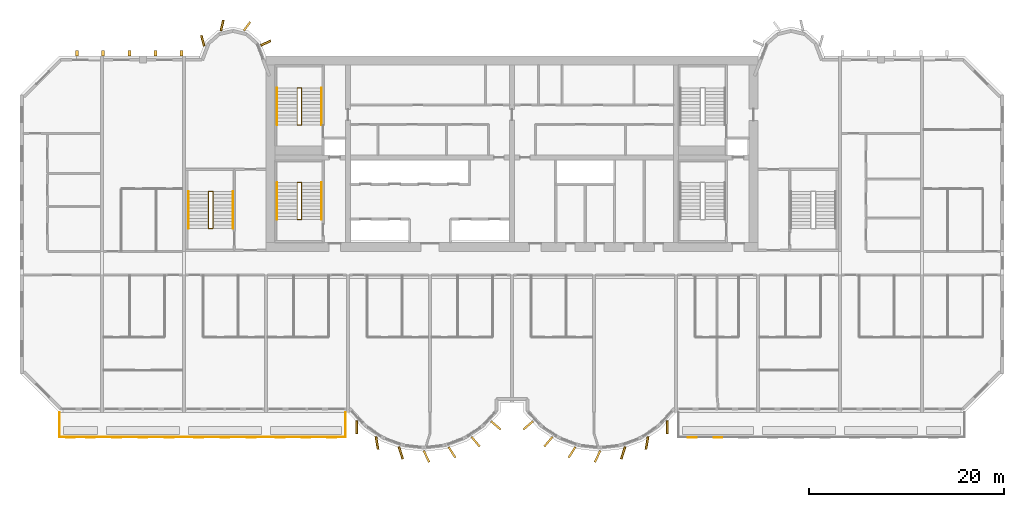
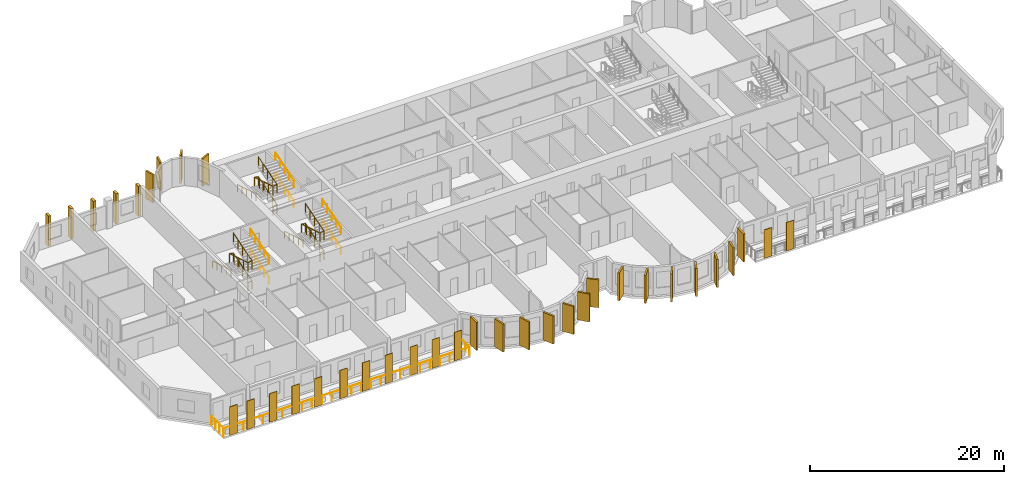
# One storey, part 12 of 14: 36 coverings, 13 railings.
"""IFC4 building model written with IfcOpenShell, lengths in metres."""

from ifc_helpers import new_model, si_unit, direction, frame, origin, origin_2d, place, context, subcontext, project, spatial, rectangle, circle, extrude, source, transform, mapped, material, layer, layer_set, material_profile, profile_set, type_object, element, save


model = new_model("IFC4")

# Units and contexts
model_context = context("Model", 3, precision=1e-05, world=origin(), true_north=direction((0.0, 1.0)))
body_context = subcontext(model_context, "Body", "Model", "MODEL_VIEW")
ifc_project = project(units=[si_unit("LENGTHUNIT", "METRE"), si_unit("AREAUNIT", "SQUARE_METRE"), si_unit("VOLUMEUNIT", "CUBIC_METRE"), si_unit("PLANEANGLEUNIT", "RADIAN"), si_unit("MASSUNIT", "GRAM", prefix="KILO")], contexts=[model_context])

# Site, building, storey
site_placement = place(None, origin())
site = spatial("IfcSite", under=ifc_project, at=site_placement, CompositionType="ELEMENT")
building_placement = place(site_placement, origin())
building = spatial("IfcBuilding", under=site, at=building_placement, Name="Vanashikhar Sky Hotel", CompositionType="ELEMENT")
storey_placement = place(building_placement, frame((0.0, 0.0, 114.199951171875)))
storey = spatial("IfcBuildingStorey", under=building, at=storey_placement, Name="L27", CompositionType="ELEMENT", Elevation=114.199951171875)

# Railing
ifc_material_1 = material(Name="Stainless steel 316", Category="steel")
railing_type_1 = type_object("IfcRailingType", Name="Balcony guard 1100", PredefinedType="GUARDRAIL", material=ifc_material_1)
shared_shape_1 = source(origin(), body_context, "Body", "SweptSolid", [
    extrude(circle(Radius=0.02392578125, at=origin_2d()), frame((0.0, 0.0, 1.076171875), z_axis=(0.0, -1.0, 0.0), x_axis=(1.0, 0.0, 0.0)), (0.0, 0.0, 1.0), 2.5),
    extrude(circle(Radius=0.02392578125, at=origin_2d()), frame((0.0, -2.5, 1.076171875), z_axis=(1.0, 0.0, 0.0), x_axis=(0.0, 1.0, 0.0)), (0.0, 0.0, 1.0), 29.280029296875),
    extrude(circle(Radius=0.02392578125, at=origin_2d()), frame((29.280029296875, -2.5, 1.076171875), z_axis=(0.0, 1.0, 0.0), x_axis=(-1.0, 0.0, 0.0)), (0.0, 0.0, 1.0), 2.5),
    extrude(circle(Radius=0.02099609375, at=origin_2d()), origin(), (0.0, 0.0, 1.0), 1.052001953125),
    extrude(circle(Radius=0.02099609375, at=origin_2d()), frame((0.0, -0.833251953125, 0.0)), (0.0, 0.0, 1.0), 1.052001953125),
    extrude(circle(Radius=0.02099609375, at=origin_2d()), frame((0.0, -1.666748046875, 0.0)), (0.0, 0.0, 1.0), 1.052001953125),
    extrude(circle(Radius=0.02099609375, at=origin_2d()), frame((0.0, -2.5, 0.0)), (0.0, 0.0, 1.0), 1.052001953125),
    extrude(circle(Radius=0.02099609375, at=origin_2d()), frame((1.171142578125, -2.5, 0.0)), (0.0, 0.0, 1.0), 1.052001953125),
    extrude(circle(Radius=0.02099609375, at=origin_2d()), frame((2.34228515625, -2.5, 0.0)), (0.0, 0.0, 1.0), 1.052001953125),
    extrude(circle(Radius=0.02099609375, at=origin_2d()), frame((3.513671875, -2.5, 0.0)), (0.0, 0.0, 1.0), 1.052001953125),
    extrude(circle(Radius=0.02099609375, at=origin_2d()), frame((4.684814453125, -2.5, 0.0)), (0.0, 0.0, 1.0), 1.052001953125),
    extrude(circle(Radius=0.02099609375, at=origin_2d()), frame((5.85595703125, -2.5, 0.0)), (0.0, 0.0, 1.0), 1.052001953125),
    extrude(circle(Radius=0.02099609375, at=origin_2d()), frame((7.027099609375, -2.5, 0.0)), (0.0, 0.0, 1.0), 1.052001953125),
    extrude(circle(Radius=0.02099609375, at=origin_2d()), frame((8.198486328125, -2.5, 0.0)), (0.0, 0.0, 1.0), 1.052001953125),
    extrude(circle(Radius=0.02099609375, at=origin_2d()), frame((9.36962890625, -2.5, 0.0)), (0.0, 0.0, 1.0), 1.052001953125),
    extrude(circle(Radius=0.02099609375, at=origin_2d()), frame((10.540771484375, -2.5, 0.0)), (0.0, 0.0, 1.0), 1.052001953125),
    extrude(circle(Radius=0.02099609375, at=origin_2d()), frame((11.7119140625, -2.5, 0.0)), (0.0, 0.0, 1.0), 1.052001953125),
    extrude(circle(Radius=0.02099609375, at=origin_2d()), frame((12.88330078125, -2.5, 0.0)), (0.0, 0.0, 1.0), 1.052001953125),
    extrude(circle(Radius=0.02099609375, at=origin_2d()), frame((14.054443359375, -2.5, 0.0)), (0.0, 0.0, 1.0), 1.052001953125),
    extrude(circle(Radius=0.02099609375, at=origin_2d()), frame((15.2255859375, -2.5, 0.0)), (0.0, 0.0, 1.0), 1.052001953125),
    extrude(circle(Radius=0.02099609375, at=origin_2d()), frame((16.396728515625, -2.5, 0.0)), (0.0, 0.0, 1.0), 1.052001953125),
    extrude(circle(Radius=0.02099609375, at=origin_2d()), frame((17.568115234375, -2.5, 0.0)), (0.0, 0.0, 1.0), 1.052001953125),
    extrude(circle(Radius=0.02099609375, at=origin_2d()), frame((18.7392578125, -2.5, 0.0)), (0.0, 0.0, 1.0), 1.052001953125),
    extrude(circle(Radius=0.02099609375, at=origin_2d()), frame((19.910400390625, -2.5, 0.0)), (0.0, 0.0, 1.0), 1.052001953125),
    extrude(circle(Radius=0.02099609375, at=origin_2d()), frame((21.08154296875, -2.5, 0.0)), (0.0, 0.0, 1.0), 1.052001953125),
    extrude(circle(Radius=0.02099609375, at=origin_2d()), frame((22.2529296875, -2.5, 0.0)), (0.0, 0.0, 1.0), 1.052001953125),
    extrude(circle(Radius=0.02099609375, at=origin_2d()), frame((23.424072265625, -2.5, 0.0)), (0.0, 0.0, 1.0), 1.052001953125),
    extrude(circle(Radius=0.02099609375, at=origin_2d()), frame((24.59521484375, -2.5, 0.0)), (0.0, 0.0, 1.0), 1.052001953125),
    extrude(circle(Radius=0.02099609375, at=origin_2d()), frame((25.766357421875, -2.5, 0.0)), (0.0, 0.0, 1.0), 1.052001953125),
    extrude(circle(Radius=0.02099609375, at=origin_2d()), frame((26.937744140625, -2.5, 0.0)), (0.0, 0.0, 1.0), 1.052001953125),
    extrude(circle(Radius=0.02099609375, at=origin_2d()), frame((28.10888671875, -2.5, 0.0)), (0.0, 0.0, 1.0), 1.052001953125),
    extrude(circle(Radius=0.02099609375, at=origin_2d()), frame((29.280029296875, -2.5, 0.0)), (0.0, 0.0, 1.0), 1.052001953125),
    extrude(circle(Radius=0.02099609375, at=origin_2d()), frame((29.280029296875, -1.666748046875, 0.0)), (0.0, 0.0, 1.0), 1.052001953125),
    extrude(circle(Radius=0.02099609375, at=origin_2d()), frame((29.280029296875, -0.833251953125, 0.0)), (0.0, 0.0, 1.0), 1.052001953125),
    extrude(circle(Radius=0.02099609375, at=origin_2d()), frame((29.280029296875, 0.0, 0.0)), (0.0, 0.0, 1.0), 1.052001953125),
])
railing_1_placement = place(storey_placement, frame((4.06005859375, 5.5, -0.050048828125)))
element("IfcRailing", 1, at=railing_1_placement, inside=storey, type_object=railing_type_1, Name="Balcony guard", PredefinedType="GUARDRAIL", context=body_context, shape_type="MappedRepresentation", body=[
    mapped(shared_shape_1, transform((0.0, 0.0, 0.0), scale=1.0)),
])

# Coverings
ifc_material_2 = material(Name="Terracotta", Category="masonry")
ifc_layer = layer(ifc_material_2, 0.06005859375)
ifc_layer_set = layer_set([ifc_layer], Name="Terracotta baguette screen")
covering_type_1 = type_object("IfcCoveringType", Name="Terracotta baguette screen", PredefinedType="CLADDING", material=ifc_layer_set)
shared_shape_2 = source(origin(), body_context, "Body", "SweptSolid", [
    extrude(rectangle(XDim=0.89990234375, YDim=0.06005859375, at=origin_2d()), origin(), (0.0, 0.0, 1.0), 3.60009765625),
])
for number, where, z_axis, x_axis, name in (
    (2, (5.175048828125, 2.929931640625, -0.050048828125), (0.0, 0.0, 1.0), (1.0, 0.0, 0.0), "Terracotta screen"),
    (3, (7.22509765625, 2.929931640625, -0.050048828125), (0.0, 0.0, 1.0), (1.0, 0.0, 0.0), "Terracotta screen"),
    (4, (9.89990234375, 2.929931640625, -0.050048828125), (0.0, 0.0, 1.0), (1.0, 0.0, 0.0), "Terracotta screen"),
    (5, (12.60009765625, 2.929931640625, -0.050048828125), (0.0, 0.0, 1.0), (1.0, 0.0, 0.0), "Terracotta screen"),
    (6, (15.300048828125, 2.929931640625, -0.050048828125), (0.0, 0.0, 1.0), (1.0, 0.0, 0.0), "Terracotta screen"),
    (7, (18.300048828125, 2.929931640625, -0.050048828125), (0.0, 0.0, 1.0), (1.0, 0.0, 0.0), "Terracotta screen"),
    (8, (21.0, 2.929931640625, -0.050048828125), (0.0, 0.0, 1.0), (1.0, 0.0, 0.0), "Terracotta screen"),
    (9, (23.699951171875, 2.929931640625, -0.050048828125), (0.0, 0.0, 1.0), (1.0, 0.0, 0.0), "Terracotta screen"),
    (10, (26.666748046875, 2.929931640625, -0.050048828125), (0.0, 0.0, 1.0), (1.0, 0.0, 0.0), "Terracotta screen"),
    (11, (29.300048828125, 2.929931640625, -0.050048828125), (0.0, 0.0, 1.0), (1.0, 0.0, 0.0), "Terracotta screen"),
    (12, (31.933349609375, 2.929931640625, -0.050048828125), (0.0, 0.0, 1.0), (1.0, 0.0, 0.0), "Terracotta screen"),
    (13, (68.86669921875, 2.929931640625, -0.050048828125), (0.0, 0.0, 1.0), (1.0, 0.0, 0.0), "Terracotta screen"),
    (14, (71.5, 2.929931640625, -0.050048828125), (0.0, 0.0, 1.0), (1.0, 0.0, 0.0), "Terracotta screen"),
):
    element("IfcCovering", number, at=place(storey_placement, frame(where, z_axis=z_axis, x_axis=x_axis)), inside=storey, type_object=covering_type_1, Name=name, PredefinedType="CLADDING", context=body_context, shape_type="MappedRepresentation", body=[
        mapped(shared_shape_2, transform((0.0, 0.0, 0.0), scale=1.0)),
    ])
ifc_material_3 = material(Name="Concrete M60 dark", Category="concrete")
ifc_material_profile_1 = material_profile(ifc_material_3, rectangle(XDim=1.300048828125, YDim=0.199951171875, at=origin_2d()))
ifc_profile_set_1 = profile_set([ifc_material_profile_1], Name="Fin 1300 x 200")
covering_type_2 = type_object("IfcCoveringType", Name="Fin 1300 x 200", PredefinedType="CLADDING", material=ifc_profile_set_1)
shared_shape_3 = source(origin(), body_context, "Body", "SweptSolid", [
    extrude(rectangle(XDim=1.300048828125, YDim=0.199951171875, at=origin_2d()), origin(), (0.0, 0.0, 1.0), 3.52001953125),
])
for number, where, z_axis, x_axis, name in (
    (15, (34.482421875, 3.992919921875, 0.0), (0.0, 0.0, 1.0), (0.011588726826, -0.999932848451, 0.0), "Fin F1-1"),
    (16, (36.572509765625, 2.3779296875, 0.0), (0.0, 0.0, 1.0), (0.16989991575, -0.985461322746, 0.0), "Fin F1-2"),
    (17, (39.00830078125, 1.35693359375, 0.0), (0.0, 0.0, 1.0), (0.303966551867, -0.952682704444, 0.0), "Fin F1-3"),
    (18, (41.63232421875, 1.00146484375, 0.0), (0.0, 0.0, 1.0), (0.422618261741, -0.906307787037, 0.0), "Fin F1-4"),
    (19, (44.251953125, 1.416015625, 0.0), (0.0, 0.0, 1.0), (0.534411358496, -0.845224526331, 0.0), "Fin F1-5"),
    (20, (46.676025390625, 2.5, 0.0), (0.0, 0.0, 1.0), (0.645697609467, -0.763593214433, 0.0), "Fin F1-6"),
    (21, (48.7412109375, 4.1845703125, 0.0), (0.0, 0.0, 1.0), (0.758543912032, -0.65162192529, 0.0), "Fin F1-7"),
    (22, (52.058837890625, 4.1845703125, 0.0), (0.0, 0.0, 1.0), (-0.758543912032, -0.65162192529, 0.0), "Fin F2-1"),
    (23, (54.123779296875, 2.5, 0.0), (0.0, 0.0, 1.0), (-0.645697609467, -0.763593214433, 0.0), "Fin F2-2"),
    (24, (56.547119140625, 1.416015625, 0.0), (0.0, 0.0, 1.0), (-0.534411358496, -0.845224526331, 0.0), "Fin F2-3"),
    (25, (59.16748046875, 1.00146484375, 0.0), (0.0, 0.0, 1.0), (-0.422618261741, -0.906307787037, 0.0), "Fin F2-4"),
    (26, (61.790771484375, 1.35693359375, 0.0), (0.0, 0.0, 1.0), (-0.303966551867, -0.952682704444, 0.0), "Fin F2-5"),
    (27, (64.2275390625, 2.3779296875, 0.0), (0.0, 0.0, 1.0), (-0.16989991575, -0.985461322746, 0.0), "Fin F2-6"),
    (28, (66.317626953125, 3.992919921875, 0.0), (0.0, 0.0, 1.0), (-0.011588726826, -0.999932848451, 0.0), "Fin F2-7"),
):
    element("IfcCovering", number, at=place(storey_placement, frame(where, z_axis=z_axis, x_axis=x_axis)), inside=storey, type_object=covering_type_2, Name=name, PredefinedType="CLADDING", context=body_context, shape_type="MappedRepresentation", body=[
        mapped(shared_shape_3, transform((0.0, 0.0, 0.0), scale=1.0)),
    ])
ifc_material_profile_2 = material_profile(ifc_material_3, rectangle(XDim=1.10009765625, YDim=0.199951171875, at=origin_2d()))
ifc_profile_set_2 = profile_set([ifc_material_profile_2], Name="Rear lobe fin 1100 x 200")
covering_type_3 = type_object("IfcCoveringType", Name="Rear lobe fin 1100 x 200", PredefinedType="CLADDING", material=ifc_profile_set_2)
shared_shape_4 = source(origin(), body_context, "Body", "SweptSolid", [
    extrude(rectangle(XDim=1.10009765625, YDim=0.199951171875, at=origin_2d()), origin(), (0.0, 0.0, 1.0), 3.52001953125),
])
for number, where, z_axis, x_axis, name in (
    (29, (18.720703125, 43.580078125, 0.0), (0.0, 0.0, 1.0), (-0.262711264409, 0.964874495234, 0.0), "Fin R1-1"),
    (30, (20.710205078125, 45.1455078125, 0.0), (0.0, 0.0, 1.0), (0.224644935864, 0.974440687159, 0.0), "Fin R1-2"),
    (31, (23.261962890625, 45.06640625, 0.0), (0.0, 0.0, 1.0), (0.602065892195, 0.798446404874, 0.0), "Fin R1-3"),
    (32, (25.169677734375, 43.33447265625, 0.0), (0.0, 0.0, 1.0), (0.908004291068, 0.418960866193, 0.0), "Fin R1-4"),
):
    element("IfcCovering", number, at=place(storey_placement, frame(where, z_axis=z_axis, x_axis=x_axis)), inside=storey, type_object=covering_type_3, Name=name, PredefinedType="CLADDING", context=body_context, shape_type="MappedRepresentation", body=[
        mapped(shared_shape_4, transform((0.0, 0.0, 0.0), scale=1.0)),
    ])
ifc_material_profile_3 = material_profile(ifc_material_3, rectangle(XDim=0.60009765625, YDim=0.300048828125, at=origin_2d()))
ifc_profile_set_3 = profile_set([ifc_material_profile_3], Name="Rear rib 600 x 300")
covering_type_4 = type_object("IfcCoveringType", Name="Rear rib 600 x 300", PredefinedType="CLADDING", material=ifc_profile_set_3)
shared_shape_5 = source(origin(), body_context, "Body", "SweptSolid", [
    extrude(rectangle(XDim=0.60009765625, YDim=0.300048828125, at=origin_2d()), origin(), (0.0, 0.0, 1.0), 3.800048828125),
])
for number, where, z_axis, x_axis, name in (
    (33, (5.840087890625, 42.300048828125, -0.280029296875), (0.0, 0.0, 1.0), (0.0, 1.0, 0.0), "Rear rib"),
    (34, (8.52001953125, 42.300048828125, -0.280029296875), (0.0, 0.0, 1.0), (0.0, 1.0, 0.0), "Rear rib"),
    (35, (11.199951171875, 42.300048828125, -0.280029296875), (0.0, 0.0, 1.0), (0.0, 1.0, 0.0), "Rear rib"),
    (36, (13.8798828125, 42.300048828125, -0.280029296875), (0.0, 0.0, 1.0), (0.0, 1.0, 0.0), "Rear rib"),
    (37, (16.56005859375, 42.300048828125, -0.280029296875), (0.0, 0.0, 1.0), (0.0, 1.0, 0.0), "Rear rib"),
):
    element("IfcCovering", number, at=place(storey_placement, frame(where, z_axis=z_axis, x_axis=x_axis)), inside=storey, type_object=covering_type_4, Name=name, PredefinedType="CLADDING", context=body_context, shape_type="MappedRepresentation", body=[
        mapped(shared_shape_5, transform((0.0, 0.0, 0.0), scale=1.0)),
    ])

# Railings
ifc_material_4 = material(Name="Steel S355", Category="steel")
railing_type_2 = type_object("IfcRailingType", Name="Stair handrail 900", PredefinedType="HANDRAIL", material=ifc_material_4)
shared_shape_6 = source(origin(), body_context, "Body", "SweptSolid", [
    extrude(circle(Radius=0.02392578125, at=origin_2d()), frame((0.0, 0.0, 0.8759765625), z_axis=(0.0, 0.95635109408, 0.292220096591), x_axis=(-1.0, 0.0, 0.0)), (0.0, 0.0, 1.0), 3.973388671875),
    extrude(circle(Radius=0.02099609375, at=origin_2d()), origin(), (0.0, 0.0, 1.0), 0.851806640625),
    extrude(circle(Radius=0.02099609375, at=origin_2d()), frame((0.0, 0.949951171875, 0.290283203125)), (0.0, 0.0, 1.0), 0.851806640625),
    extrude(circle(Radius=0.02099609375, at=origin_2d()), frame((0.0, 1.89990234375, 0.58056640625)), (0.0, 0.0, 1.0), 0.851806640625),
    extrude(circle(Radius=0.02099609375, at=origin_2d()), frame((0.0, 2.85009765625, 0.870849609375)), (0.0, 0.0, 1.0), 0.851806640625),
    extrude(circle(Radius=0.02099609375, at=origin_2d()), frame((0.0, 3.800048828125, 1.1611328125)), (0.0, 0.0, 1.0), 0.851806640625),
])
for number, where, name in (
    (38, (30.89990234375, 25.25, 2.638916015625), "Exit stair 1 handrail"),
    (39, (30.89990234375, 34.949951171875, 2.638916015625), "Exit stair 5 handrail"),
):
    element("IfcRailing", number, at=place(storey_placement, frame(where)), inside=storey, type_object=railing_type_2, Name=name, PredefinedType="HANDRAIL", context=body_context, shape_type="MappedRepresentation", body=[
        mapped(shared_shape_6, transform((0.0, 0.0, 0.0), scale=1.0)),
    ])
shared_shape_7 = source(origin(), body_context, "Body", "SweptSolid", [
    extrude(circle(Radius=0.02392578125, at=origin_2d()), frame((0.0, 0.0, 0.8759765625), z_axis=(0.0, -0.95635109408, 0.292220096591), x_axis=(1.0, 0.0, 0.0)), (0.0, 0.0, 1.0), 3.973388671875),
    extrude(circle(Radius=0.02099609375, at=origin_2d()), origin(), (0.0, 0.0, 1.0), 0.851806640625),
    extrude(circle(Radius=0.02099609375, at=origin_2d()), frame((0.0, -0.949951171875, 0.290283203125)), (0.0, 0.0, 1.0), 0.851806640625),
    extrude(circle(Radius=0.02099609375, at=origin_2d()), frame((0.0, -1.89990234375, 0.58056640625)), (0.0, 0.0, 1.0), 0.851806640625),
    extrude(circle(Radius=0.02099609375, at=origin_2d()), frame((0.0, -2.85009765625, 0.870849609375)), (0.0, 0.0, 1.0), 0.851806640625),
    extrude(circle(Radius=0.02099609375, at=origin_2d()), frame((0.0, -3.800048828125, 1.1611328125)), (0.0, 0.0, 1.0), 0.851806640625),
])
for number, where, name in (
    (40, (26.35009765625, 29.050048828125, 1.372314453125), "Exit stair 1 handrail"),
    (41, (26.35009765625, 38.75, 1.372314453125), "Exit stair 5 handrail"),
):
    element("IfcRailing", number, at=place(storey_placement, frame(where)), inside=storey, type_object=railing_type_2, Name=name, PredefinedType="HANDRAIL", context=body_context, shape_type="MappedRepresentation", body=[
        mapped(shared_shape_7, transform((0.0, 0.0, 0.0), scale=1.0)),
    ])
railing_type_3 = type_object("IfcRailingType", Name="Stair guard 1100", PredefinedType="GUARDRAIL", material=ifc_material_4)
shared_shape_8 = source(origin(), body_context, "Body", "SweptSolid", [
    extrude(circle(Radius=0.02392578125, at=origin_2d()), frame((0.0, 0.0, 1.076171875), z_axis=(0.973520925263, 0.0, 0.228597917917), x_axis=(0.0, 1.0, 0.0)), (0.0, 0.0, 1.0), 0.46240234375),
    extrude(circle(Radius=0.02392578125, at=origin_2d()), frame((0.4501953125, 0.0, 1.181640625), z_axis=(0.0, 0.956368263741, 0.292163899395), x_axis=(-1.0, 0.0, 0.0)), (0.0, 0.0, 1.0), 3.973388671875),
    extrude(circle(Radius=0.02392578125, at=origin_2d()), frame((0.4501953125, 3.800048828125, 2.3427734375), z_axis=(-0.973520925263, 0.0, 0.228597917917), x_axis=(0.0, -1.0, 0.0)), (0.0, 0.0, 1.0), 0.46240234375),
    extrude(circle(Radius=0.02392578125, at=origin_2d()), frame((0.0, 3.800048828125, 2.4482421875), z_axis=(0.0, -0.95635109408, 0.292220096591), x_axis=(1.0, 0.0, 0.0)), (0.0, 0.0, 1.0), 3.973388671875),
    extrude(circle(Radius=0.02392578125, at=origin_2d()), frame((0.0, 0.0, 3.609375), z_axis=(0.973638301096, 0.0, 0.228097476179), x_axis=(0.0, 1.0, 0.0)), (0.0, 0.0, 1.0), 0.46240234375),
    extrude(circle(Radius=0.02392578125, at=origin_2d()), frame((0.4501953125, 0.0, 3.71484375), z_axis=(0.0, 0.95635109408, 0.292220096591), x_axis=(-1.0, 0.0, 0.0)), (0.0, 0.0, 1.0), 3.973388671875),
    extrude(circle(Radius=0.02099609375, at=origin_2d()), origin(), (0.0, 0.0, 1.0), 1.052001953125),
    extrude(circle(Radius=0.02099609375, at=origin_2d()), frame((0.4501953125, 0.0, 0.105712890625)), (0.0, 0.0, 1.0), 1.052001953125),
    extrude(circle(Radius=0.02099609375, at=origin_2d()), frame((0.4501953125, 0.949951171875, 0.39599609375)), (0.0, 0.0, 1.0), 1.052001953125),
    extrude(circle(Radius=0.02099609375, at=origin_2d()), frame((0.4501953125, 1.89990234375, 0.68603515625)), (0.0, 0.0, 1.0), 1.052001953125),
    extrude(circle(Radius=0.02099609375, at=origin_2d()), frame((0.4501953125, 2.85009765625, 0.976318359375)), (0.0, 0.0, 1.0), 1.052001953125),
    extrude(circle(Radius=0.02099609375, at=origin_2d()), frame((0.4501953125, 3.800048828125, 1.2666015625)), (0.0, 0.0, 1.0), 1.052001953125),
    extrude(circle(Radius=0.02099609375, at=origin_2d()), frame((0.0, 3.800048828125, 1.372314453125)), (0.0, 0.0, 1.0), 1.052001953125),
    extrude(circle(Radius=0.02099609375, at=origin_2d()), frame((0.0, 2.85009765625, 1.66259765625)), (0.0, 0.0, 1.0), 1.052001953125),
    extrude(circle(Radius=0.02099609375, at=origin_2d()), frame((0.0, 1.89990234375, 1.952880859375)), (0.0, 0.0, 1.0), 1.052001953125),
    extrude(circle(Radius=0.02099609375, at=origin_2d()), frame((0.0, 0.949951171875, 2.2431640625)), (0.0, 0.0, 1.0), 1.052001953125),
    extrude(circle(Radius=0.02099609375, at=origin_2d()), frame((0.0, 0.0, 2.533447265625)), (0.0, 0.0, 1.0), 1.052001953125),
    extrude(circle(Radius=0.02099609375, at=origin_2d()), frame((0.4501953125, 0.0, 2.638916015625)), (0.0, 0.0, 1.0), 1.052001953125),
    extrude(circle(Radius=0.02099609375, at=origin_2d()), frame((0.4501953125, 0.949951171875, 2.92919921875)), (0.0, 0.0, 1.0), 1.052001953125),
    extrude(circle(Radius=0.02099609375, at=origin_2d()), frame((0.4501953125, 1.89990234375, 3.219482421875)), (0.0, 0.0, 1.0), 1.052001953125),
    extrude(circle(Radius=0.02099609375, at=origin_2d()), frame((0.4501953125, 2.85009765625, 3.509765625)), (0.0, 0.0, 1.0), 1.052001953125),
    extrude(circle(Radius=0.02099609375, at=origin_2d()), frame((0.4501953125, 3.800048828125, 3.800048828125)), (0.0, 0.0, 1.0), 1.052001953125),
])
for number, where, name in (
    (42, (28.39990234375, 25.25, 0.0), "Exit stair 1 guard"),
    (43, (28.39990234375, 34.949951171875, 0.0), "Exit stair 5 guard"),
):
    element("IfcRailing", number, at=place(storey_placement, frame(where)), inside=storey, type_object=railing_type_3, Name=name, PredefinedType="GUARDRAIL", context=body_context, shape_type="MappedRepresentation", body=[
        mapped(shared_shape_8, transform((0.0, 0.0, 0.0), scale=1.0)),
    ])
shared_shape_9 = source(origin(), body_context, "Body", "SweptSolid", [
    extrude(circle(Radius=0.02392578125, at=origin_2d()), frame((0.0, 0.0, 0.8759765625), z_axis=(0.0, 0.956368263741, 0.292163899395), x_axis=(-1.0, 0.0, 0.0)), (0.0, 0.0, 1.0), 3.973388671875),
    extrude(circle(Radius=0.02099609375, at=origin_2d()), origin(), (0.0, 0.0, 1.0), 0.851806640625),
    extrude(circle(Radius=0.02099609375, at=origin_2d()), frame((0.0, 0.949951171875, 0.290283203125)), (0.0, 0.0, 1.0), 0.851806640625),
    extrude(circle(Radius=0.02099609375, at=origin_2d()), frame((0.0, 1.89990234375, 0.58056640625)), (0.0, 0.0, 1.0), 0.851806640625),
    extrude(circle(Radius=0.02099609375, at=origin_2d()), frame((0.0, 2.85009765625, 0.87060546875)), (0.0, 0.0, 1.0), 0.851806640625),
    extrude(circle(Radius=0.02099609375, at=origin_2d()), frame((0.0, 3.800048828125, 1.160888671875)), (0.0, 0.0, 1.0), 0.851806640625),
])
for number, where, name in (
    (44, (30.89990234375, 25.25, 0.105712890625), "Exit stair 1 handrail"),
    (45, (30.89990234375, 34.949951171875, 0.105712890625), "Exit stair 5 handrail"),
):
    element("IfcRailing", number, at=place(storey_placement, frame(where)), inside=storey, type_object=railing_type_2, Name=name, PredefinedType="HANDRAIL", context=body_context, shape_type="MappedRepresentation", body=[
        mapped(shared_shape_9, transform((0.0, 0.0, 0.0), scale=1.0)),
    ])
shared_shape_10 = source(origin(), body_context, "Body", "SweptSolid", [
    extrude(circle(Radius=0.02392578125, at=origin_2d()), frame((0.0, 0.0, 0.8759765625), z_axis=(0.0, 0.956345846891, 0.292237268557), x_axis=(-1.0, 0.0, 0.0)), (0.0, 0.0, 1.0), 3.97314453125),
    extrude(circle(Radius=0.02099609375, at=origin_2d()), origin(), (0.0, 0.0, 1.0), 0.851806640625),
    extrude(circle(Radius=0.02099609375, at=origin_2d()), frame((0.0, 0.949951171875, 0.290283203125)), (0.0, 0.0, 1.0), 0.851806640625),
    extrude(circle(Radius=0.02099609375, at=origin_2d()), frame((0.0, 1.89990234375, 0.58056640625)), (0.0, 0.0, 1.0), 0.851806640625),
    extrude(circle(Radius=0.02099609375, at=origin_2d()), frame((0.0, 2.849853515625, 0.870849609375)), (0.0, 0.0, 1.0), 0.851806640625),
    extrude(circle(Radius=0.02099609375, at=origin_2d()), frame((0.0, 3.7998046875, 1.1611328125)), (0.0, 0.0, 1.0), 0.851806640625),
])
railing_2_placement = place(storey_placement, frame((21.800048828125, 24.35009765625, 2.638916015625)))
element("IfcRailing", 46, at=railing_2_placement, inside=storey, type_object=railing_type_2, Name="Exit stair 3 handrail", PredefinedType="HANDRAIL", context=body_context, shape_type="MappedRepresentation", body=[
    mapped(shared_shape_10, transform((0.0, 0.0, 0.0), scale=1.0)),
])
shared_shape_11 = source(origin(), body_context, "Body", "SweptSolid", [
    extrude(circle(Radius=0.02392578125, at=origin_2d()), frame((0.0, 0.0, 0.8759765625), z_axis=(0.0, -0.956345846891, 0.292237268557), x_axis=(1.0, 0.0, 0.0)), (0.0, 0.0, 1.0), 3.97314453125),
    extrude(circle(Radius=0.02099609375, at=origin_2d()), origin(), (0.0, 0.0, 1.0), 0.851806640625),
    extrude(circle(Radius=0.02099609375, at=origin_2d()), frame((0.0, -0.949951171875, 0.290283203125)), (0.0, 0.0, 1.0), 0.851806640625),
    extrude(circle(Radius=0.02099609375, at=origin_2d()), frame((0.0, -1.89990234375, 0.58056640625)), (0.0, 0.0, 1.0), 0.851806640625),
    extrude(circle(Radius=0.02099609375, at=origin_2d()), frame((0.0, -2.849853515625, 0.870849609375)), (0.0, 0.0, 1.0), 0.851806640625),
    extrude(circle(Radius=0.02099609375, at=origin_2d()), frame((0.0, -3.7998046875, 1.1611328125)), (0.0, 0.0, 1.0), 0.851806640625),
])
railing_3_placement = place(storey_placement, frame((17.25, 28.14990234375, 1.372314453125)))
element("IfcRailing", 47, at=railing_3_placement, inside=storey, type_object=railing_type_2, Name="Exit stair 3 handrail", PredefinedType="HANDRAIL", context=body_context, shape_type="MappedRepresentation", body=[
    mapped(shared_shape_11, transform((0.0, 0.0, 0.0), scale=1.0)),
])
shared_shape_12 = source(origin(), body_context, "Body", "SweptSolid", [
    extrude(circle(Radius=0.02392578125, at=origin_2d()), frame((0.0, 0.0, 1.076171875), z_axis=(0.973493315427, 0.0, 0.228715466945), x_axis=(0.0, 1.0, 0.0)), (0.0, 0.0, 1.0), 0.462158203125),
    extrude(circle(Radius=0.02392578125, at=origin_2d()), frame((0.449951171875, 0.0, 1.181640625), z_axis=(0.0, 0.956363018476, 0.292181068675), x_axis=(-1.0, 0.0, 0.0)), (0.0, 0.0, 1.0), 3.97314453125),
    extrude(circle(Radius=0.02392578125, at=origin_2d()), frame((0.449951171875, 3.7998046875, 2.3427734375), z_axis=(-0.973493315427, 0.0, 0.228715466945), x_axis=(0.0, -1.0, 0.0)), (0.0, 0.0, 1.0), 0.462158203125),
    extrude(circle(Radius=0.02392578125, at=origin_2d()), frame((0.0, 3.7998046875, 2.4482421875), z_axis=(0.0, -0.956345846891, 0.292237268557), x_axis=(1.0, 0.0, 0.0)), (0.0, 0.0, 1.0), 3.97314453125),
    extrude(circle(Radius=0.02392578125, at=origin_2d()), frame((0.0, 0.0, 3.609375), z_axis=(0.973610808694, 0.0, 0.228214796178), x_axis=(0.0, 1.0, 0.0)), (0.0, 0.0, 1.0), 0.462158203125),
    extrude(circle(Radius=0.02392578125, at=origin_2d()), frame((0.449951171875, 0.0, 3.71484375), z_axis=(0.0, 0.956345846891, 0.292237268557), x_axis=(-1.0, 0.0, 0.0)), (0.0, 0.0, 1.0), 3.97314453125),
    extrude(circle(Radius=0.02099609375, at=origin_2d()), origin(), (0.0, 0.0, 1.0), 1.052001953125),
    extrude(circle(Radius=0.02099609375, at=origin_2d()), frame((0.449951171875, 0.0, 0.105712890625)), (0.0, 0.0, 1.0), 1.052001953125),
    extrude(circle(Radius=0.02099609375, at=origin_2d()), frame((0.449951171875, 0.949951171875, 0.39599609375)), (0.0, 0.0, 1.0), 1.052001953125),
    extrude(circle(Radius=0.02099609375, at=origin_2d()), frame((0.449951171875, 1.89990234375, 0.68603515625)), (0.0, 0.0, 1.0), 1.052001953125),
    extrude(circle(Radius=0.02099609375, at=origin_2d()), frame((0.449951171875, 2.849853515625, 0.976318359375)), (0.0, 0.0, 1.0), 1.052001953125),
    extrude(circle(Radius=0.02099609375, at=origin_2d()), frame((0.449951171875, 3.7998046875, 1.2666015625)), (0.0, 0.0, 1.0), 1.052001953125),
    extrude(circle(Radius=0.02099609375, at=origin_2d()), frame((0.0, 3.7998046875, 1.372314453125)), (0.0, 0.0, 1.0), 1.052001953125),
    extrude(circle(Radius=0.02099609375, at=origin_2d()), frame((0.0, 2.849853515625, 1.66259765625)), (0.0, 0.0, 1.0), 1.052001953125),
    extrude(circle(Radius=0.02099609375, at=origin_2d()), frame((0.0, 1.89990234375, 1.952880859375)), (0.0, 0.0, 1.0), 1.052001953125),
    extrude(circle(Radius=0.02099609375, at=origin_2d()), frame((0.0, 0.949951171875, 2.2431640625)), (0.0, 0.0, 1.0), 1.052001953125),
    extrude(circle(Radius=0.02099609375, at=origin_2d()), frame((0.0, 0.0, 2.533447265625)), (0.0, 0.0, 1.0), 1.052001953125),
    extrude(circle(Radius=0.02099609375, at=origin_2d()), frame((0.449951171875, 0.0, 2.638916015625)), (0.0, 0.0, 1.0), 1.052001953125),
    extrude(circle(Radius=0.02099609375, at=origin_2d()), frame((0.449951171875, 0.949951171875, 2.92919921875)), (0.0, 0.0, 1.0), 1.052001953125),
    extrude(circle(Radius=0.02099609375, at=origin_2d()), frame((0.449951171875, 1.89990234375, 3.219482421875)), (0.0, 0.0, 1.0), 1.052001953125),
    extrude(circle(Radius=0.02099609375, at=origin_2d()), frame((0.449951171875, 2.849853515625, 3.509765625)), (0.0, 0.0, 1.0), 1.052001953125),
    extrude(circle(Radius=0.02099609375, at=origin_2d()), frame((0.449951171875, 3.7998046875, 3.800048828125)), (0.0, 0.0, 1.0), 1.052001953125),
])
railing_4_placement = place(storey_placement, frame((19.300048828125, 24.35009765625, 0.0)))
element("IfcRailing", 48, at=railing_4_placement, inside=storey, type_object=railing_type_3, Name="Exit stair 3 guard", PredefinedType="GUARDRAIL", context=body_context, shape_type="MappedRepresentation", body=[
    mapped(shared_shape_12, transform((0.0, 0.0, 0.0), scale=1.0)),
])
shared_shape_13 = source(origin(), body_context, "Body", "SweptSolid", [
    extrude(circle(Radius=0.02392578125, at=origin_2d()), frame((0.0, 0.0, 0.8759765625), z_axis=(0.0, 0.956363018476, 0.292181068675), x_axis=(-1.0, 0.0, 0.0)), (0.0, 0.0, 1.0), 3.97314453125),
    extrude(circle(Radius=0.02099609375, at=origin_2d()), origin(), (0.0, 0.0, 1.0), 0.851806640625),
    extrude(circle(Radius=0.02099609375, at=origin_2d()), frame((0.0, 0.949951171875, 0.290283203125)), (0.0, 0.0, 1.0), 0.851806640625),
    extrude(circle(Radius=0.02099609375, at=origin_2d()), frame((0.0, 1.89990234375, 0.58056640625)), (0.0, 0.0, 1.0), 0.851806640625),
    extrude(circle(Radius=0.02099609375, at=origin_2d()), frame((0.0, 2.849853515625, 0.87060546875)), (0.0, 0.0, 1.0), 0.851806640625),
    extrude(circle(Radius=0.02099609375, at=origin_2d()), frame((0.0, 3.7998046875, 1.160888671875)), (0.0, 0.0, 1.0), 0.851806640625),
])
railing_5_placement = place(storey_placement, frame((21.800048828125, 24.35009765625, 0.105712890625)))
element("IfcRailing", 49, at=railing_5_placement, inside=storey, type_object=railing_type_2, Name="Exit stair 3 handrail", PredefinedType="HANDRAIL", context=body_context, shape_type="MappedRepresentation", body=[
    mapped(shared_shape_13, transform((0.0, 0.0, 0.0), scale=1.0)),
])

save(model, "model.ifc")
